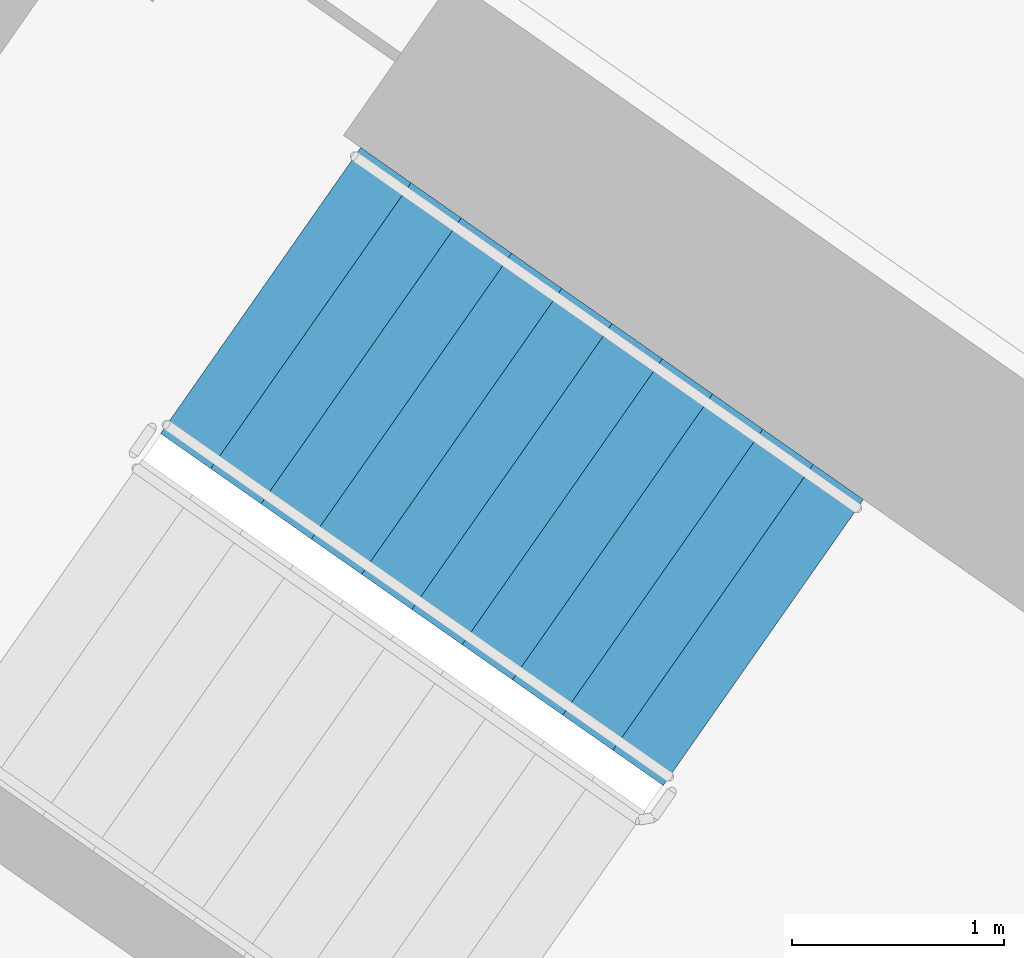
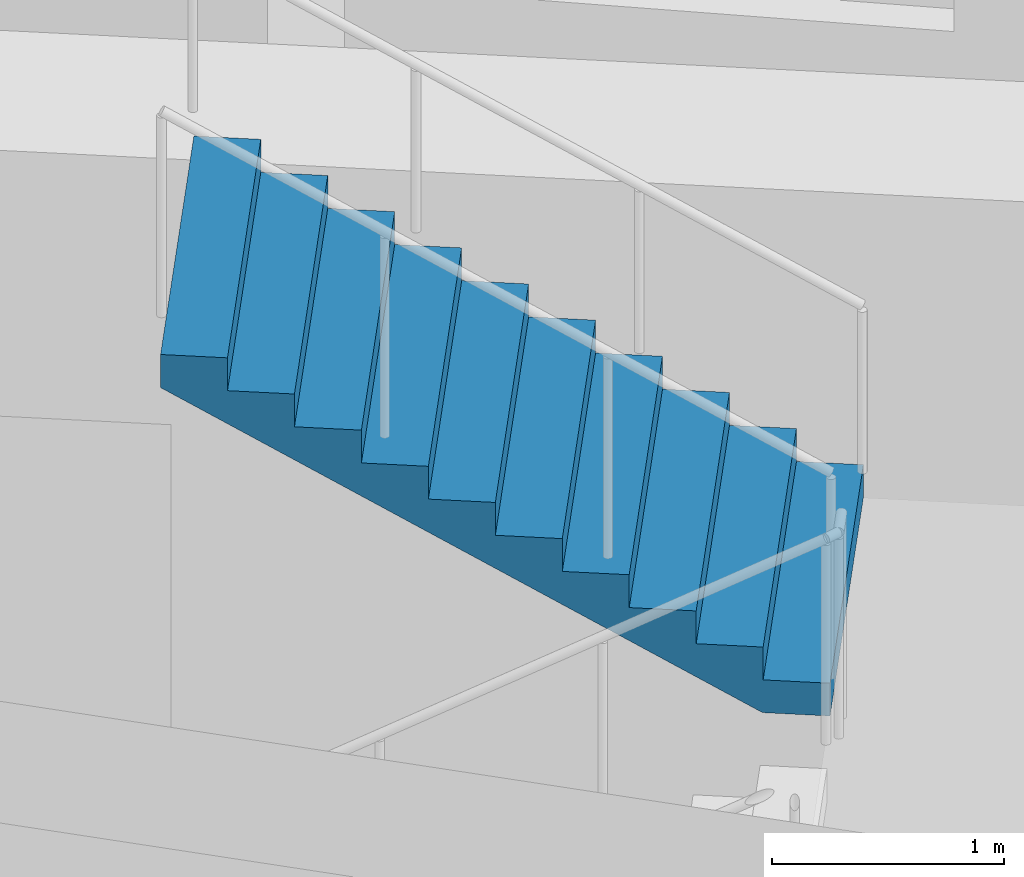
# One storey, part 13 of 35: 1 stair flight, 1 element without a shape of its own.
"""IFC4 building model written with IfcOpenShell, lengths in metres."""

from ifc_helpers import new_model, si_unit, direction, frame, origin, place, context, subcontext, project, spatial, faceted_brep, material, type_object, element, aggregate, save


model = new_model("IFC4")

# Units and contexts
model_context = context("Model", 3, precision=1e-05, world=origin(), true_north=direction((0.0, 1.0)))
body_context = subcontext(model_context, "Body", "Model", "MODEL_VIEW")
ifc_project = project(units=[si_unit("LENGTHUNIT", "METRE"), si_unit("AREAUNIT", "SQUARE_METRE"), si_unit("VOLUMEUNIT", "CUBIC_METRE"), si_unit("PLANEANGLEUNIT", "RADIAN"), si_unit("MASSUNIT", "GRAM", prefix="KILO")], contexts=[model_context])

# Site, building, storey
site_placement = place(None, origin())
site = spatial("IfcSite", under=ifc_project, at=site_placement, CompositionType="ELEMENT")
building_placement = place(site_placement, origin())
building = spatial("IfcBuilding", under=site, at=building_placement, Name="Qamariyya Broadcast Tower", CompositionType="ELEMENT")
storey_placement = place(building_placement, frame((0.0, 0.0, 40.5)))
storey = spatial("IfcBuildingStorey", under=building, at=storey_placement, Name="L06", CompositionType="ELEMENT", Elevation=40.5)

# Stair, stair flight
ifc_material = material(Name="Concrete C50/60", Category="concrete")
stair_type = type_object("IfcStairType", Name="Exit stair 22 risers of 173 mm", PredefinedType="HALF_TURN_STAIR", material=ifc_material)
stair_placement = place(storey_placement, origin())
stair = element("IfcStair", 1, at=stair_placement, inside=storey, type_object=stair_type, Name="L06 Stair W2", PredefinedType="HALF_TURN_STAIR")
stair_flight_type = type_object("IfcStairFlightType", Name="Exit stair flight 11 risers of 173 mm", PredefinedType="STRAIGHT", material=ifc_material)
stair_flight_placement = place(storey_placement, frame((-38.18310546875, -49.3486328125, 1.89990234375), z_axis=(0.0, 0.0, 1.0), x_axis=(-0.819152044289, 0.573576436351, 0.0)))
stair_flight = element("IfcStairFlight", 2, at=stair_flight_placement, type_object=stair_flight_type, Name="ST-W2 flight 2", NumberOfRisers=11, NumberOfTreads=10, PredefinedType="STRAIGHT", RiserHeight=0.172727273, TreadLength=0.29, context=body_context, shape_type="Brep", body=[
    faceted_brep([(0.0, 0.824951171875, 0.0), (0.0, 0.824951171875, 0.172607421875), (0.2900390625, 0.824951171875, 0.172607421875), (0.2900390625, 0.824951171875, 0.345458984375), (0.580078125, 0.824951171875, 0.345458984375), (0.580078125, 0.824951171875, 0.51806640625), (0.8701171875, 0.824951171875, 0.51806640625), (0.8701171875, 0.824951171875, 0.69091796875), (1.159912109375, 0.824951171875, 0.69091796875), (1.159912109375, 0.824951171875, 0.863525390625), (1.449951171875, 0.824951171875, 0.863525390625), (1.449951171875, 0.824951171875, 1.036376953125), (1.739990234375, 0.824951171875, 1.036376953125), (1.739990234375, 0.824951171875, 1.208984375), (2.030029296875, 0.824951171875, 1.208984375), (2.030029296875, 0.824951171875, 1.3818359375), (2.320068359375, 0.824951171875, 1.3818359375), (2.320068359375, 0.824951171875, 1.554443359375), (2.610107421875, 0.824951171875, 1.554443359375), (2.610107421875, 0.824951171875, 1.727294921875), (2.89990234375, 0.824951171875, 1.727294921875), (2.89990234375, 0.824951171875, 1.552734375), (0.29296875, 0.824951171875, 0.0), (0.29296875, -0.824951171875, 0.0), (2.89990234375, -0.824951171875, 1.552734375), (2.89990234375, -0.824951171875, 1.727294921875), (2.610107421875, -0.824951171875, 1.727294921875), (2.610107421875, -0.824951171875, 1.554443359375), (2.320068359375, -0.824951171875, 1.554443359375), (2.320068359375, -0.824951171875, 1.3818359375), (2.030029296875, -0.824951171875, 1.3818359375), (2.030029296875, -0.824951171875, 1.208984375), (1.739990234375, -0.824951171875, 1.208984375), (1.739990234375, -0.824951171875, 1.036376953125), (1.449951171875, -0.824951171875, 1.036376953125), (1.449951171875, -0.824951171875, 0.863525390625), (1.159912109375, -0.824951171875, 0.863525390625), (1.159912109375, -0.824951171875, 0.69091796875), (0.8701171875, -0.824951171875, 0.69091796875), (0.8701171875, -0.824951171875, 0.51806640625), (0.580078125, -0.824951171875, 0.51806640625), (0.580078125, -0.824951171875, 0.345458984375), (0.2900390625, -0.824951171875, 0.345458984375), (0.2900390625, -0.824951171875, 0.172607421875), (0.0, -0.824951171875, 0.172607421875), (0.0, -0.824951171875, 0.0), (0.0, 0.10009765625, 0.0), (0.0, 0.086669921875, 0.0), (0.0, 0.0732421875, 0.0), (0.0, 0.06005859375, 0.0), (0.0, 0.046630859375, 0.0), (0.0, 0.033447265625, 0.0), (0.0, 0.02001953125, 0.0), (0.0, 0.006591796875, 0.0), (0.0, -0.006591796875, 0.0), (0.0, -0.02001953125, 0.0), (0.0, -0.033447265625, 0.0), (0.0, -0.046630859375, 0.0), (0.0, -0.06005859375, 0.0), (0.0, -0.0732421875, 0.0), (0.0, -0.086669921875, 0.0), (0.0, -0.10009765625, 0.0), (0.0, -0.10009765625, 0.172607421875), (0.0, -0.086669921875, 0.172607421875), (0.0, -0.0732421875, 0.172607421875), (0.0, -0.06005859375, 0.172607421875), (0.0, -0.046630859375, 0.172607421875), (0.0, -0.033447265625, 0.172607421875), (0.0, -0.02001953125, 0.172607421875), (0.0, -0.006591796875, 0.172607421875), (0.0, 0.006591796875, 0.172607421875), (0.0, 0.02001953125, 0.172607421875), (0.0, 0.033447265625, 0.172607421875), (0.0, 0.046630859375, 0.172607421875), (0.0, 0.06005859375, 0.172607421875), (0.0, 0.0732421875, 0.172607421875), (0.0, 0.086669921875, 0.172607421875), (0.0, 0.10009765625, 0.172607421875), (0.2900390625, -0.10009765625, 0.172607421875), (0.2900390625, -0.086669921875, 0.172607421875), (0.2900390625, -0.0732421875, 0.172607421875), (0.2900390625, -0.06005859375, 0.172607421875), (0.2900390625, -0.046630859375, 0.172607421875), (0.2900390625, -0.033447265625, 0.172607421875), (0.2900390625, -0.02001953125, 0.172607421875), (0.2900390625, -0.006591796875, 0.172607421875), (0.2900390625, 0.006591796875, 0.172607421875), (0.2900390625, 0.02001953125, 0.172607421875), (0.2900390625, 0.033447265625, 0.172607421875), (0.2900390625, 0.046630859375, 0.172607421875), (0.2900390625, 0.06005859375, 0.172607421875), (0.2900390625, 0.0732421875, 0.172607421875), (0.2900390625, 0.086669921875, 0.172607421875), (0.2900390625, 0.10009765625, 0.172607421875), (0.2900390625, -0.10009765625, 0.345458984375), (0.2900390625, -0.086669921875, 0.345458984375), (0.2900390625, -0.0732421875, 0.345458984375), (0.2900390625, -0.06005859375, 0.345458984375), (0.2900390625, -0.046630859375, 0.345458984375), (0.2900390625, -0.033447265625, 0.345458984375), (0.2900390625, -0.02001953125, 0.345458984375), (0.2900390625, -0.006591796875, 0.345458984375), (0.2900390625, 0.006591796875, 0.345458984375), (0.2900390625, 0.02001953125, 0.345458984375), (0.2900390625, 0.033447265625, 0.345458984375), (0.2900390625, 0.046630859375, 0.345458984375), (0.2900390625, 0.06005859375, 0.345458984375), (0.2900390625, 0.0732421875, 0.345458984375), (0.2900390625, 0.086669921875, 0.345458984375), (0.2900390625, 0.10009765625, 0.345458984375), (0.580078125, -0.10009765625, 0.345458984375), (0.580078125, -0.086669921875, 0.345458984375), (0.580078125, -0.0732421875, 0.345458984375), (0.580078125, -0.06005859375, 0.345458984375), (0.580078125, -0.046630859375, 0.345458984375), (0.580078125, -0.033447265625, 0.345458984375), (0.580078125, -0.02001953125, 0.345458984375), (0.580078125, -0.006591796875, 0.345458984375), (0.580078125, 0.006591796875, 0.345458984375), (0.580078125, 0.02001953125, 0.345458984375), (0.580078125, 0.033447265625, 0.345458984375), (0.580078125, 0.046630859375, 0.345458984375), (0.580078125, 0.06005859375, 0.345458984375), (0.580078125, 0.0732421875, 0.345458984375), (0.580078125, 0.086669921875, 0.345458984375), (0.580078125, 0.10009765625, 0.345458984375), (0.580078125, -0.10009765625, 0.51806640625), (0.580078125, -0.086669921875, 0.51806640625), (0.580078125, -0.0732421875, 0.51806640625), (0.580078125, -0.06005859375, 0.51806640625), (0.580078125, -0.046630859375, 0.51806640625), (0.580078125, -0.033447265625, 0.51806640625), (0.580078125, -0.02001953125, 0.51806640625), (0.580078125, -0.006591796875, 0.51806640625), (0.580078125, 0.006591796875, 0.51806640625), (0.580078125, 0.02001953125, 0.51806640625), (0.580078125, 0.033447265625, 0.51806640625), (0.580078125, 0.046630859375, 0.51806640625), (0.580078125, 0.06005859375, 0.51806640625), (0.580078125, 0.0732421875, 0.51806640625), (0.580078125, 0.086669921875, 0.51806640625), (0.580078125, 0.10009765625, 0.51806640625), (0.8701171875, -0.10009765625, 0.51806640625), (0.8701171875, -0.086669921875, 0.51806640625), (0.8701171875, -0.0732421875, 0.51806640625), (0.8701171875, -0.06005859375, 0.51806640625), (0.8701171875, -0.046630859375, 0.51806640625), (0.8701171875, -0.033447265625, 0.51806640625), (0.8701171875, -0.02001953125, 0.51806640625), (0.8701171875, -0.006591796875, 0.51806640625), (0.8701171875, 0.006591796875, 0.51806640625), (0.8701171875, 0.02001953125, 0.51806640625), (0.8701171875, 0.033447265625, 0.51806640625), (0.8701171875, 0.046630859375, 0.51806640625), (0.8701171875, 0.06005859375, 0.51806640625), (0.8701171875, 0.0732421875, 0.51806640625), (0.8701171875, 0.086669921875, 0.51806640625), (0.8701171875, 0.10009765625, 0.51806640625), (0.8701171875, -0.10009765625, 0.69091796875), (0.8701171875, -0.086669921875, 0.69091796875), (0.8701171875, -0.0732421875, 0.69091796875), (0.8701171875, -0.06005859375, 0.69091796875), (0.8701171875, -0.046630859375, 0.69091796875), (0.8701171875, -0.033447265625, 0.69091796875), (0.8701171875, -0.02001953125, 0.69091796875), (0.8701171875, -0.006591796875, 0.69091796875), (0.8701171875, 0.006591796875, 0.69091796875), (0.8701171875, 0.02001953125, 0.69091796875), (0.8701171875, 0.033447265625, 0.69091796875), (0.8701171875, 0.046630859375, 0.69091796875), (0.8701171875, 0.06005859375, 0.69091796875), (0.8701171875, 0.0732421875, 0.69091796875), (0.8701171875, 0.086669921875, 0.69091796875), (0.8701171875, 0.10009765625, 0.69091796875), (1.159912109375, -0.10009765625, 0.69091796875), (1.159912109375, -0.086669921875, 0.69091796875), (1.159912109375, -0.0732421875, 0.69091796875), (1.159912109375, -0.06005859375, 0.69091796875), (1.159912109375, -0.046630859375, 0.69091796875), (1.159912109375, -0.033447265625, 0.69091796875), (1.159912109375, -0.02001953125, 0.69091796875), (1.159912109375, -0.006591796875, 0.69091796875), (1.159912109375, 0.006591796875, 0.69091796875), (1.159912109375, 0.02001953125, 0.69091796875), (1.159912109375, 0.033447265625, 0.69091796875), (1.159912109375, 0.046630859375, 0.69091796875), (1.159912109375, 0.06005859375, 0.69091796875), (1.159912109375, 0.0732421875, 0.69091796875), (1.159912109375, 0.086669921875, 0.69091796875), (1.159912109375, 0.10009765625, 0.69091796875), (1.159912109375, -0.10009765625, 0.863525390625), (1.159912109375, -0.086669921875, 0.863525390625), (1.159912109375, -0.0732421875, 0.863525390625), (1.159912109375, -0.06005859375, 0.863525390625), (1.159912109375, -0.046630859375, 0.863525390625), (1.159912109375, -0.033447265625, 0.863525390625), (1.159912109375, -0.02001953125, 0.863525390625), (1.159912109375, -0.006591796875, 0.863525390625), (1.159912109375, 0.006591796875, 0.863525390625), (1.159912109375, 0.02001953125, 0.863525390625), (1.159912109375, 0.033447265625, 0.863525390625), (1.159912109375, 0.046630859375, 0.863525390625), (1.159912109375, 0.06005859375, 0.863525390625), (1.159912109375, 0.0732421875, 0.863525390625), (1.159912109375, 0.086669921875, 0.863525390625), (1.159912109375, 0.10009765625, 0.863525390625), (1.449951171875, -0.10009765625, 0.863525390625), (1.449951171875, -0.086669921875, 0.863525390625), (1.449951171875, -0.0732421875, 0.863525390625), (1.449951171875, -0.06005859375, 0.863525390625), (1.449951171875, -0.046630859375, 0.863525390625), (1.449951171875, -0.033447265625, 0.863525390625), (1.449951171875, -0.02001953125, 0.863525390625), (1.449951171875, -0.006591796875, 0.863525390625), (1.449951171875, 0.006591796875, 0.863525390625), (1.449951171875, 0.02001953125, 0.863525390625), (1.449951171875, 0.033447265625, 0.863525390625), (1.449951171875, 0.046630859375, 0.863525390625), (1.449951171875, 0.06005859375, 0.863525390625), (1.449951171875, 0.0732421875, 0.863525390625), (1.449951171875, 0.086669921875, 0.863525390625), (1.449951171875, 0.10009765625, 0.863525390625), (1.449951171875, -0.10009765625, 1.036376953125), (1.449951171875, -0.086669921875, 1.036376953125), (1.449951171875, -0.0732421875, 1.036376953125), (1.449951171875, -0.06005859375, 1.036376953125), (1.449951171875, -0.046630859375, 1.036376953125), (1.449951171875, -0.033447265625, 1.036376953125), (1.449951171875, -0.02001953125, 1.036376953125), (1.449951171875, -0.006591796875, 1.036376953125), (1.449951171875, 0.006591796875, 1.036376953125), (1.449951171875, 0.02001953125, 1.036376953125), (1.449951171875, 0.033447265625, 1.036376953125), (1.449951171875, 0.046630859375, 1.036376953125), (1.449951171875, 0.06005859375, 1.036376953125), (1.449951171875, 0.0732421875, 1.036376953125), (1.449951171875, 0.086669921875, 1.036376953125), (1.449951171875, 0.10009765625, 1.036376953125), (1.739990234375, -0.10009765625, 1.036376953125), (1.739990234375, -0.086669921875, 1.036376953125), (1.739990234375, -0.0732421875, 1.036376953125), (1.739990234375, -0.06005859375, 1.036376953125), (1.739990234375, -0.046630859375, 1.036376953125), (1.739990234375, -0.033447265625, 1.036376953125), (1.739990234375, -0.02001953125, 1.036376953125), (1.739990234375, -0.006591796875, 1.036376953125), (1.739990234375, 0.006591796875, 1.036376953125), (1.739990234375, 0.02001953125, 1.036376953125), (1.739990234375, 0.033447265625, 1.036376953125), (1.739990234375, 0.046630859375, 1.036376953125), (1.739990234375, 0.06005859375, 1.036376953125), (1.739990234375, 0.0732421875, 1.036376953125), (1.739990234375, 0.086669921875, 1.036376953125), (1.739990234375, 0.10009765625, 1.036376953125), (1.739990234375, -0.10009765625, 1.208984375), (1.739990234375, -0.086669921875, 1.208984375), (1.739990234375, -0.0732421875, 1.208984375), (1.739990234375, -0.06005859375, 1.208984375), (1.739990234375, -0.046630859375, 1.208984375), (1.739990234375, -0.033447265625, 1.208984375), (1.739990234375, -0.02001953125, 1.208984375), (1.739990234375, -0.006591796875, 1.208984375), (1.739990234375, 0.006591796875, 1.208984375), (1.739990234375, 0.02001953125, 1.208984375), (1.739990234375, 0.033447265625, 1.208984375), (1.739990234375, 0.046630859375, 1.208984375), (1.739990234375, 0.06005859375, 1.208984375), (1.739990234375, 0.0732421875, 1.208984375), (1.739990234375, 0.086669921875, 1.208984375), (1.739990234375, 0.10009765625, 1.208984375), (2.030029296875, -0.10009765625, 1.208984375), (2.030029296875, -0.086669921875, 1.208984375), (2.030029296875, -0.0732421875, 1.208984375), (2.030029296875, -0.06005859375, 1.208984375), (2.030029296875, -0.046630859375, 1.208984375), (2.030029296875, -0.033447265625, 1.208984375), (2.030029296875, -0.02001953125, 1.208984375), (2.030029296875, -0.006591796875, 1.208984375), (2.030029296875, 0.006591796875, 1.208984375), (2.030029296875, 0.02001953125, 1.208984375), (2.030029296875, 0.033447265625, 1.208984375), (2.030029296875, 0.046630859375, 1.208984375), (2.030029296875, 0.06005859375, 1.208984375), (2.030029296875, 0.0732421875, 1.208984375), (2.030029296875, 0.086669921875, 1.208984375), (2.030029296875, 0.10009765625, 1.208984375), (2.030029296875, -0.10009765625, 1.3818359375), (2.030029296875, -0.086669921875, 1.3818359375), (2.030029296875, -0.0732421875, 1.3818359375), (2.030029296875, -0.06005859375, 1.3818359375), (2.030029296875, -0.046630859375, 1.3818359375), (2.030029296875, -0.033447265625, 1.3818359375), (2.030029296875, -0.02001953125, 1.3818359375), (2.030029296875, -0.006591796875, 1.3818359375), (2.030029296875, 0.006591796875, 1.3818359375), (2.030029296875, 0.02001953125, 1.3818359375), (2.030029296875, 0.033447265625, 1.3818359375), (2.030029296875, 0.046630859375, 1.3818359375), (2.030029296875, 0.06005859375, 1.3818359375), (2.030029296875, 0.0732421875, 1.3818359375), (2.030029296875, 0.086669921875, 1.3818359375), (2.030029296875, 0.10009765625, 1.3818359375), (2.320068359375, -0.10009765625, 1.3818359375), (2.320068359375, -0.086669921875, 1.3818359375), (2.320068359375, -0.0732421875, 1.3818359375), (2.320068359375, -0.06005859375, 1.3818359375), (2.320068359375, -0.046630859375, 1.3818359375), (2.320068359375, -0.033447265625, 1.3818359375), (2.320068359375, -0.02001953125, 1.3818359375), (2.320068359375, -0.006591796875, 1.3818359375), (2.320068359375, 0.006591796875, 1.3818359375), (2.320068359375, 0.02001953125, 1.3818359375), (2.320068359375, 0.033447265625, 1.3818359375), (2.320068359375, 0.046630859375, 1.3818359375), (2.320068359375, 0.06005859375, 1.3818359375), (2.320068359375, 0.0732421875, 1.3818359375), (2.320068359375, 0.086669921875, 1.3818359375), (2.320068359375, 0.10009765625, 1.3818359375), (2.320068359375, -0.10009765625, 1.554443359375), (2.320068359375, -0.086669921875, 1.554443359375), (2.320068359375, -0.0732421875, 1.554443359375), (2.320068359375, -0.06005859375, 1.554443359375), (2.320068359375, -0.046630859375, 1.554443359375), (2.320068359375, -0.033447265625, 1.554443359375), (2.320068359375, -0.02001953125, 1.554443359375), (2.320068359375, -0.006591796875, 1.554443359375), (2.320068359375, 0.006591796875, 1.554443359375), (2.320068359375, 0.02001953125, 1.554443359375), (2.320068359375, 0.033447265625, 1.554443359375), (2.320068359375, 0.046630859375, 1.554443359375), (2.320068359375, 0.06005859375, 1.554443359375), (2.320068359375, 0.0732421875, 1.554443359375), (2.320068359375, 0.086669921875, 1.554443359375), (2.320068359375, 0.10009765625, 1.554443359375), (2.610107421875, -0.10009765625, 1.554443359375), (2.610107421875, -0.086669921875, 1.554443359375), (2.610107421875, -0.0732421875, 1.554443359375), (2.610107421875, -0.06005859375, 1.554443359375), (2.610107421875, -0.046630859375, 1.554443359375), (2.610107421875, -0.033447265625, 1.554443359375), (2.610107421875, -0.02001953125, 1.554443359375), (2.610107421875, -0.006591796875, 1.554443359375), (2.610107421875, 0.006591796875, 1.554443359375), (2.610107421875, 0.02001953125, 1.554443359375), (2.610107421875, 0.033447265625, 1.554443359375), (2.610107421875, 0.046630859375, 1.554443359375), (2.610107421875, 0.06005859375, 1.554443359375), (2.610107421875, 0.0732421875, 1.554443359375), (2.610107421875, 0.086669921875, 1.554443359375), (2.610107421875, 0.10009765625, 1.554443359375), (2.610107421875, -0.10009765625, 1.727294921875), (2.610107421875, -0.086669921875, 1.727294921875), (2.610107421875, -0.0732421875, 1.727294921875), (2.610107421875, -0.06005859375, 1.727294921875), (2.610107421875, -0.046630859375, 1.727294921875), (2.610107421875, -0.033447265625, 1.727294921875), (2.610107421875, -0.02001953125, 1.727294921875), (2.610107421875, -0.006591796875, 1.727294921875), (2.610107421875, 0.006591796875, 1.727294921875), (2.610107421875, 0.02001953125, 1.727294921875), (2.610107421875, 0.033447265625, 1.727294921875), (2.610107421875, 0.046630859375, 1.727294921875), (2.610107421875, 0.06005859375, 1.727294921875), (2.610107421875, 0.0732421875, 1.727294921875), (2.610107421875, 0.086669921875, 1.727294921875), (2.610107421875, 0.10009765625, 1.727294921875), (2.89990234375, -0.10009765625, 1.727294921875), (2.89990234375, -0.086669921875, 1.727294921875), (2.89990234375, -0.0732421875, 1.727294921875), (2.89990234375, -0.06005859375, 1.727294921875), (2.89990234375, -0.046630859375, 1.727294921875), (2.89990234375, -0.033447265625, 1.727294921875), (2.89990234375, -0.02001953125, 1.727294921875), (2.89990234375, -0.006591796875, 1.727294921875), (2.89990234375, 0.006591796875, 1.727294921875), (2.89990234375, 0.02001953125, 1.727294921875), (2.89990234375, 0.033447265625, 1.727294921875), (2.89990234375, 0.046630859375, 1.727294921875), (2.89990234375, 0.06005859375, 1.727294921875), (2.89990234375, 0.0732421875, 1.727294921875), (2.89990234375, 0.086669921875, 1.727294921875), (2.89990234375, 0.10009765625, 1.727294921875), (2.89990234375, -0.10009765625, 1.552734375), (2.89990234375, -0.086669921875, 1.552734375), (2.89990234375, -0.0732421875, 1.552734375), (2.89990234375, -0.06005859375, 1.552734375), (2.89990234375, -0.046630859375, 1.552734375), (2.89990234375, -0.033447265625, 1.552734375), (2.89990234375, -0.02001953125, 1.552734375), (2.89990234375, -0.006591796875, 1.552734375), (2.89990234375, 0.006591796875, 1.552734375), (2.89990234375, 0.02001953125, 1.552734375), (2.89990234375, 0.033447265625, 1.552734375), (2.89990234375, 0.046630859375, 1.552734375), (2.89990234375, 0.06005859375, 1.552734375), (2.89990234375, 0.0732421875, 1.552734375), (2.89990234375, 0.086669921875, 1.552734375), (2.89990234375, 0.10009765625, 1.552734375), (0.29296875, -0.10009765625, 0.0), (0.29296875, -0.086669921875, 0.0), (0.29296875, -0.0732421875, 0.0), (0.29296875, -0.06005859375, 0.0), (0.29296875, -0.046630859375, 0.0), (0.29296875, -0.033447265625, 0.0), (0.29296875, -0.02001953125, 0.0), (0.29296875, -0.006591796875, 0.0), (0.29296875, 0.006591796875, 0.0), (0.29296875, 0.02001953125, 0.0), (0.29296875, 0.033447265625, 0.0), (0.29296875, 0.046630859375, 0.0), (0.29296875, 0.06005859375, 0.0), (0.29296875, 0.0732421875, 0.0), (0.29296875, 0.086669921875, 0.0), (0.29296875, 0.10009765625, 0.0)], [[[0, 1, 2, 3, 4, 5, 6, 7, 8, 9, 10, 11, 12, 13, 14, 15, 16, 17, 18, 19, 20, 21, 22]], [[23, 24, 25, 26, 27, 28, 29, 30, 31, 32, 33, 34, 35, 36, 37, 38, 39, 40, 41, 42, 43, 44, 45]], [[0, 46, 47, 48, 49, 50, 51, 52, 53, 54, 55, 56, 57, 58, 59, 60, 61, 45, 44, 62, 63, 64, 65, 66, 67, 68, 69, 70, 71, 72, 73, 74, 75, 76, 77, 1]], [[1, 77, 76, 75, 74, 73, 72, 71, 70, 69, 68, 67, 66, 65, 64, 63, 62, 44, 43, 78, 79, 80, 81, 82, 83, 84, 85, 86, 87, 88, 89, 90, 91, 92, 93, 2]], [[2, 93, 92, 91, 90, 89, 88, 87, 86, 85, 84, 83, 82, 81, 80, 79, 78, 43, 42, 94, 95, 96, 97, 98, 99, 100, 101, 102, 103, 104, 105, 106, 107, 108, 109, 3]], [[3, 109, 108, 107, 106, 105, 104, 103, 102, 101, 100, 99, 98, 97, 96, 95, 94, 42, 41, 110, 111, 112, 113, 114, 115, 116, 117, 118, 119, 120, 121, 122, 123, 124, 125, 4]], [[4, 125, 124, 123, 122, 121, 120, 119, 118, 117, 116, 115, 114, 113, 112, 111, 110, 41, 40, 126, 127, 128, 129, 130, 131, 132, 133, 134, 135, 136, 137, 138, 139, 140, 141, 5]], [[5, 141, 140, 139, 138, 137, 136, 135, 134, 133, 132, 131, 130, 129, 128, 127, 126, 40, 39, 142, 143, 144, 145, 146, 147, 148, 149, 150, 151, 152, 153, 154, 155, 156, 157, 6]], [[6, 157, 156, 155, 154, 153, 152, 151, 150, 149, 148, 147, 146, 145, 144, 143, 142, 39, 38, 158, 159, 160, 161, 162, 163, 164, 165, 166, 167, 168, 169, 170, 171, 172, 173, 7]], [[7, 173, 172, 171, 170, 169, 168, 167, 166, 165, 164, 163, 162, 161, 160, 159, 158, 38, 37, 174, 175, 176, 177, 178, 179, 180, 181, 182, 183, 184, 185, 186, 187, 188, 189, 8]], [[8, 189, 188, 187, 186, 185, 184, 183, 182, 181, 180, 179, 178, 177, 176, 175, 174, 37, 36, 190, 191, 192, 193, 194, 195, 196, 197, 198, 199, 200, 201, 202, 203, 204, 205, 9]], [[9, 205, 204, 203, 202, 201, 200, 199, 198, 197, 196, 195, 194, 193, 192, 191, 190, 36, 35, 206, 207, 208, 209, 210, 211, 212, 213, 214, 215, 216, 217, 218, 219, 220, 221, 10]], [[10, 221, 220, 219, 218, 217, 216, 215, 214, 213, 212, 211, 210, 209, 208, 207, 206, 35, 34, 222, 223, 224, 225, 226, 227, 228, 229, 230, 231, 232, 233, 234, 235, 236, 237, 11]], [[11, 237, 236, 235, 234, 233, 232, 231, 230, 229, 228, 227, 226, 225, 224, 223, 222, 34, 33, 238, 239, 240, 241, 242, 243, 244, 245, 246, 247, 248, 249, 250, 251, 252, 253, 12]], [[12, 253, 252, 251, 250, 249, 248, 247, 246, 245, 244, 243, 242, 241, 240, 239, 238, 33, 32, 254, 255, 256, 257, 258, 259, 260, 261, 262, 263, 264, 265, 266, 267, 268, 269, 13]], [[13, 269, 268, 267, 266, 265, 264, 263, 262, 261, 260, 259, 258, 257, 256, 255, 254, 32, 31, 270, 271, 272, 273, 274, 275, 276, 277, 278, 279, 280, 281, 282, 283, 284, 285, 14]], [[14, 285, 284, 283, 282, 281, 280, 279, 278, 277, 276, 275, 274, 273, 272, 271, 270, 31, 30, 286, 287, 288, 289, 290, 291, 292, 293, 294, 295, 296, 297, 298, 299, 300, 301, 15]], [[15, 301, 300, 299, 298, 297, 296, 295, 294, 293, 292, 291, 290, 289, 288, 287, 286, 30, 29, 302, 303, 304, 305, 306, 307, 308, 309, 310, 311, 312, 313, 314, 315, 316, 317, 16]], [[16, 317, 316, 315, 314, 313, 312, 311, 310, 309, 308, 307, 306, 305, 304, 303, 302, 29, 28, 318, 319, 320, 321, 322, 323, 324, 325, 326, 327, 328, 329, 330, 331, 332, 333, 17]], [[17, 333, 332, 331, 330, 329, 328, 327, 326, 325, 324, 323, 322, 321, 320, 319, 318, 28, 27, 334, 335, 336, 337, 338, 339, 340, 341, 342, 343, 344, 345, 346, 347, 348, 349, 18]], [[18, 349, 348, 347, 346, 345, 344, 343, 342, 341, 340, 339, 338, 337, 336, 335, 334, 27, 26, 350, 351, 352, 353, 354, 355, 356, 357, 358, 359, 360, 361, 362, 363, 364, 365, 19]], [[19, 365, 364, 363, 362, 361, 360, 359, 358, 357, 356, 355, 354, 353, 352, 351, 350, 26, 25, 366, 367, 368, 369, 370, 371, 372, 373, 374, 375, 376, 377, 378, 379, 380, 381, 20]], [[20, 381, 380, 379, 378, 377, 376, 375, 374, 373, 372, 371, 370, 369, 368, 367, 366, 25, 24, 382, 383, 384, 385, 386, 387, 388, 389, 390, 391, 392, 393, 394, 395, 396, 397, 21]], [[21, 397, 396, 395, 394, 393, 392, 391, 390, 389, 388, 387, 386, 385, 384, 383, 382, 24, 23, 398, 399, 400, 401, 402, 403, 404, 405, 406, 407, 408, 409, 410, 411, 412, 413, 22]], [[22, 413, 412, 411, 410, 409, 408, 407, 406, 405, 404, 403, 402, 401, 400, 399, 398, 23, 45, 61, 60, 59, 58, 57, 56, 55, 54, 53, 52, 51, 50, 49, 48, 47, 46, 0]]]),
])
aggregate(stair, [stair_flight])

save(model, "model.ifc")
